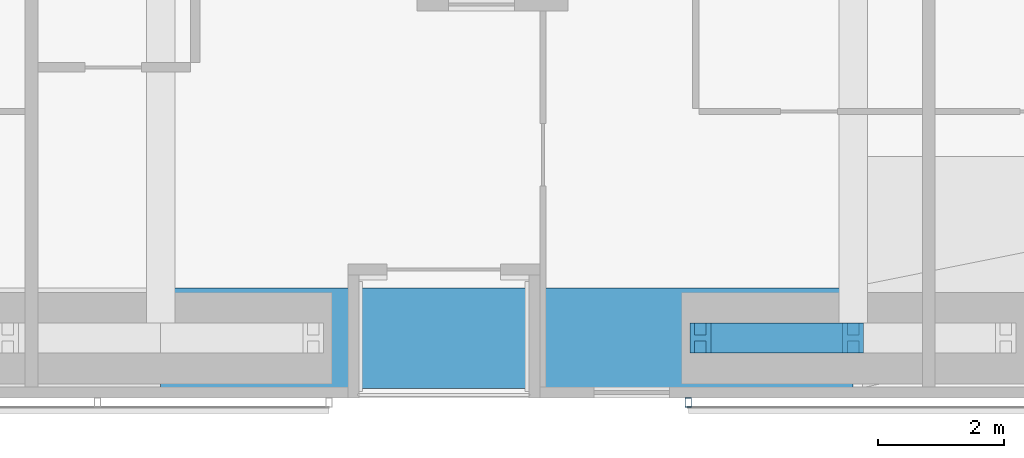
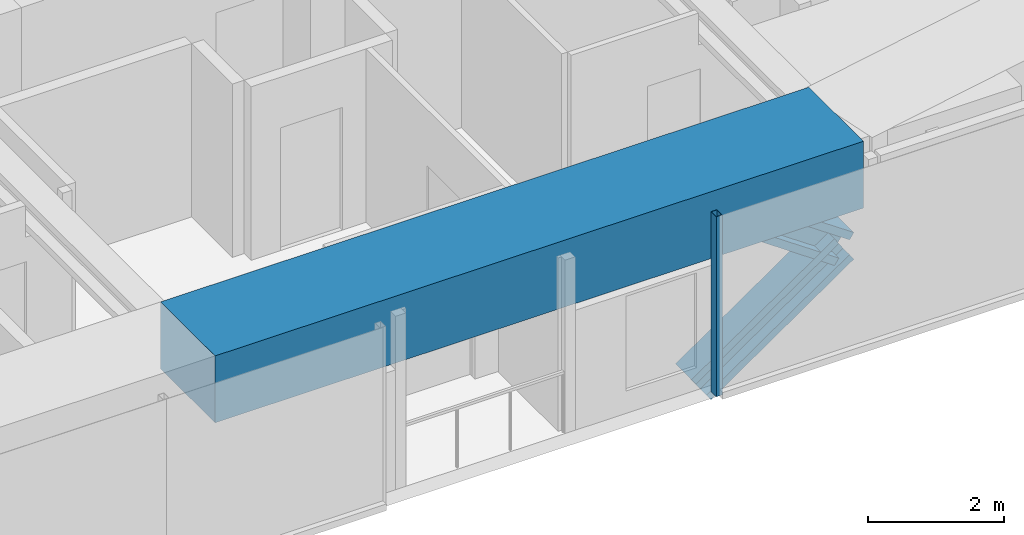
# One storey, part 5 of 23: 3 members, 1 beam, 1 element without a shape of its own.
"""IFC4 building model written with IfcOpenShell, lengths in metres."""

from ifc_helpers import new_model, si_unit, direction, frame, origin, origin_2d, place, context, subcontext, project, spatial, rectangle, hollow_rectangle, i_section, extrude, material, material_profile, profile_set, type_object, element, aggregate, save


model = new_model("IFC4")

# Units and contexts
model_context = context("Model", 3, precision=1e-05, world=origin(), true_north=direction((0.0, 1.0)))
body_context = subcontext(model_context, "Body", "Model", "MODEL_VIEW")
ifc_project = project(units=[si_unit("LENGTHUNIT", "METRE"), si_unit("AREAUNIT", "SQUARE_METRE"), si_unit("VOLUMEUNIT", "CUBIC_METRE"), si_unit("PLANEANGLEUNIT", "RADIAN"), si_unit("MASSUNIT", "GRAM", prefix="KILO")], contexts=[model_context])

# Site, building, storey
site_placement = place(None, origin())
site = spatial("IfcSite", under=ifc_project, at=site_placement, CompositionType="ELEMENT")
building_placement = place(site_placement, origin())
building = spatial("IfcBuilding", under=site, at=building_placement, Name="Jalousie Tower", CompositionType="ELEMENT")
storey_placement = place(building_placement, frame((0.0, 0.0, 41.10009765625)))
storey = spatial("IfcBuildingStorey", under=building, at=storey_placement, Name="L10", CompositionType="ELEMENT", Elevation=41.10009765625)

# Members
ifc_material_1 = material(Name="Steel ASTM A992 Grade 50", Category="steel")
ifc_material_profile_1 = material_profile(ifc_material_1, i_section(OverallWidth=0.472412109375, OverallDepth=0.5791015625, WebThickness=0.094970703125, FlangeThickness=0.1298828125, at=origin_2d()), Name="W14X808")
ifc_profile_set_1 = profile_set([ifc_material_profile_1], Name="Steel ASTM A992 Grade 50")
member_type_1 = type_object("IfcMemberType", Name="PERIMETER BRACE W14X808", PredefinedType="BRACE", material=ifc_profile_set_1)
for number, where, z_axis, x_axis, name in (
    (1, (32.574951171875, 0.949951171875, -0.60009765625), (0.822800062329, 0.0, 0.568330940062), (0.0, 1.0, 0.0), "Perimeter brace 04 L10 part 1"),
    (2, (35.0, 0.949951171875, 1.074951171875), (-0.822800062329, 0.0, 0.568330940062), (0.0, -1.0, 0.0), "Perimeter brace 04 L10 part 4"),
):
    element("IfcMember", number, at=place(storey_placement, frame(where, z_axis=z_axis, x_axis=x_axis)), inside=storey, type_object=member_type_1, Name=name, PredefinedType="BRACE", context=body_context, shape_type="SweptSolid", body=[
        extrude(i_section(OverallWidth=0.472412109375, OverallDepth=0.5791015625, WebThickness=0.094970703125, FlangeThickness=0.1298828125, at=origin_2d()), origin(), (0.0, 0.0, 1.0), 2.947265625),
    ])

# Beam
ifc_material_2 = material(Name="Concrete f'c 40 MPa", Category="concrete")
ifc_material_profile_2 = material_profile(ifc_material_2, rectangle(XDim=1.60009765625, YDim=1.199951171875, at=origin_2d()), Name="RC 1600x1200")
ifc_profile_set_2 = profile_set([ifc_material_profile_2], Name="Concrete f'c 40 MPa")
beam_type = type_object("IfcBeamType", Name="RC BEAM 1600x1200", PredefinedType="BEAM", material=ifc_profile_set_2)
beam_placement = place(storey_placement, frame((24.0, 0.949951171875, 2.75), z_axis=(1.0, 0.0, 0.0), x_axis=(0.0, 1.0, 0.0)))
element("IfcBeam", 3, at=beam_placement, inside=storey, type_object=beam_type, Name="Edge band beam 03-04 under L11", PredefinedType="BEAM", context=body_context, shape_type="SweptSolid", body=[
    extrude(rectangle(XDim=1.60009765625, YDim=1.199951171875, at=origin_2d()), origin(), (0.0, 0.0, 1.0), 11.0),
])

# Curtain wall, member
ifc_material_3 = material(Name="Perforated aluminium sheet", Category="aluminium")
curtain_wall_type = type_object("IfcCurtainWallType", Name="SOLAR SCREEN SS-1", PredefinedType="USERDEFINED", material=ifc_material_3)
curtain_wall_placement = place(storey_placement, origin())
curtain_wall = element("IfcCurtainWall", 4, at=curtain_wall_placement, inside=storey, type_object=curtain_wall_type, Name="Solar screen L10", ObjectType="SOLAR SCREEN SS-1", PredefinedType="USERDEFINED")
ifc_material_4 = material(Name="Steel ASTM A500 Grade C", Category="steel")
ifc_material_profile_3 = material_profile(ifc_material_4, hollow_rectangle(XDim=0.1015625, YDim=0.15234375, WallThickness=0.00634765625, at=origin_2d()), Name="HSS6X4X1/4")
ifc_profile_set_3 = profile_set([ifc_material_profile_3], Name="Steel ASTM A500 Grade C")
member_type_2 = type_object("IfcMemberType", Name="SOLAR SCREEN SS-1 MULLION", PredefinedType="MULLION", material=ifc_profile_set_3)
member_placement = place(storey_placement, frame((32.382568359375, -0.0712890625, -0.1201171875), z_axis=(0.0, 0.0, 1.0), x_axis=(1.0, 0.0, 0.0)))
member = element("IfcMember", 5, at=member_placement, type_object=member_type_2, Name="SS1 post 1", PredefinedType="MULLION", context=body_context, shape_type="SweptSolid", body=[
    extrude(hollow_rectangle(XDim=0.1015625, YDim=0.15234375, WallThickness=0.00634765625, at=origin_2d()), origin(), (0.0, 0.0, 1.0), 3.22998046875),
])
aggregate(curtain_wall, [member])

save(model, "model.ifc")
